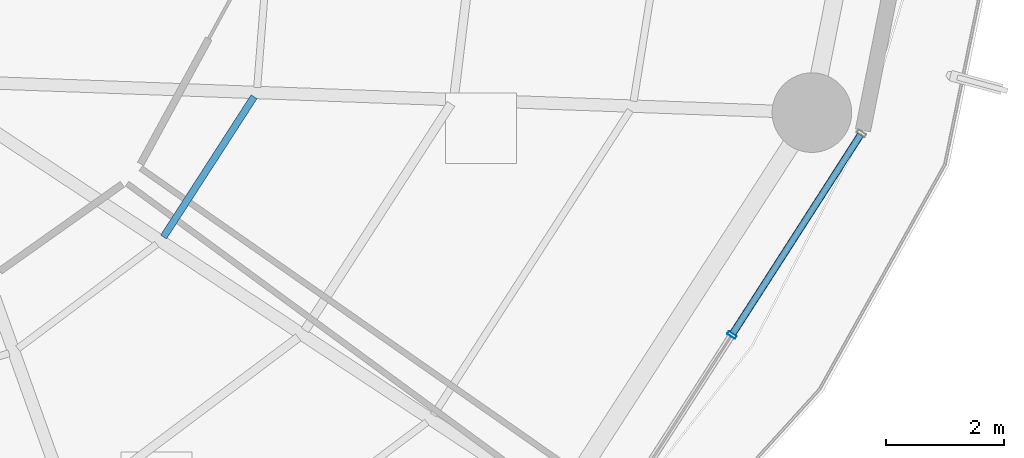
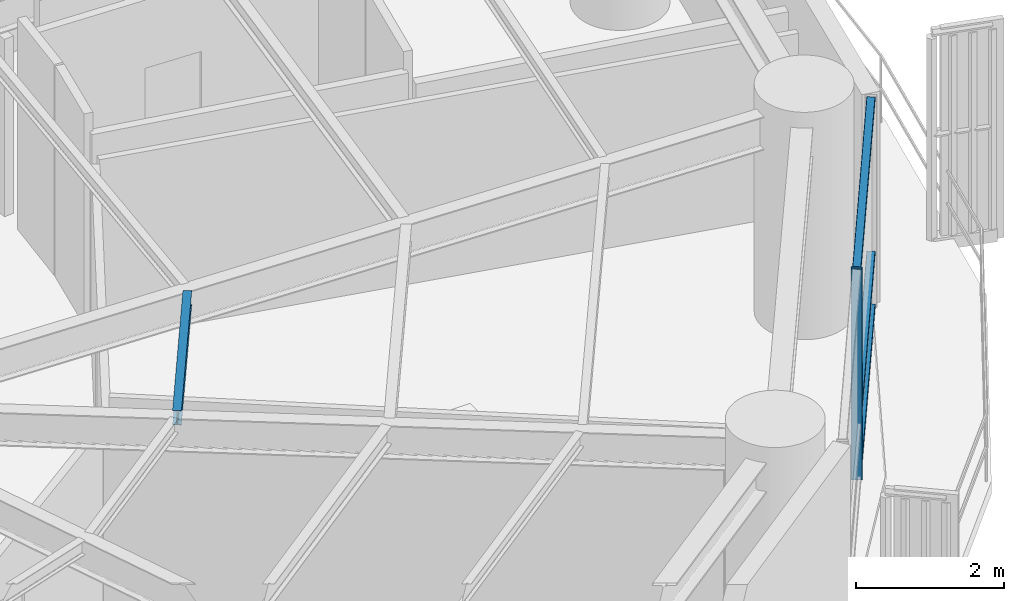
# One storey, part 14 of 35: 4 members, 1 beam, 1 element without a shape of its own.
"""IFC4 building model written with IfcOpenShell, lengths in metres."""

from ifc_helpers import new_model, si_unit, direction, frame, origin, origin_2d, place, context, subcontext, project, spatial, hollow_rectangle, i_section, extrude, material, layer, layer_set, material_profile, profile_set, type_object, element, aggregate, save


model = new_model("IFC4")

# Units and contexts
model_context = context("Model", 3, precision=1e-05, world=origin(), true_north=direction((0.0, 1.0)))
body_context = subcontext(model_context, "Body", "Model", "MODEL_VIEW")
ifc_project = project(units=[si_unit("LENGTHUNIT", "METRE"), si_unit("AREAUNIT", "SQUARE_METRE"), si_unit("VOLUMEUNIT", "CUBIC_METRE"), si_unit("PLANEANGLEUNIT", "RADIAN"), si_unit("MASSUNIT", "GRAM", prefix="KILO")], contexts=[model_context])

# Site, building, storey
site_placement = place(None, origin())
site = spatial("IfcSite", under=ifc_project, at=site_placement, CompositionType="ELEMENT")
building_placement = place(site_placement, origin())
building = spatial("IfcBuilding", under=site, at=building_placement, Name="Kelanora Arch Commons", CompositionType="ELEMENT")
storey_placement = place(building_placement, frame((0.0, 0.0, 117.60009765625)))
storey = spatial("IfcBuildingStorey", under=building, at=storey_placement, Name="L30", CompositionType="ELEMENT", Elevation=117.60009765625)

# Beam
ifc_material_1 = material(Name="Steel S355", Category="steel")
ifc_material_profile_1 = material_profile(ifc_material_1, i_section(OverallWidth=0.1201171875, OverallDepth=0.239990234375, WebThickness=0.006103515625, FlangeThickness=0.009765625, FilletRadius=0.014892578125, at=origin_2d()), Name="IPE240")
ifc_profile_set_1 = profile_set([ifc_material_profile_1], Name="Steel S355")
beam_type = type_object("IfcBeamType", Name="BM-JST-02", PredefinedType="JOIST", material=ifc_profile_set_1)
beam_placement = place(storey_placement, frame((86.1904296875, 48.338134765625, 3.369873046875), z_axis=(0.542211255502, 0.840242199849, 0.0), x_axis=(-0.840242199849, 0.542211255502, 0.0)))
element("IfcBeam", 1, at=beam_placement, inside=storey, type_object=beam_type, Name="Secondary Chord Joist BJA-32 L30", PredefinedType="JOIST", context=body_context, shape_type="SweptSolid", body=[
    extrude(i_section(OverallWidth=0.1201171875, OverallDepth=0.239990234375, WebThickness=0.006103515625, FlangeThickness=0.009765625, FilletRadius=0.014892578125, at=origin_2d()), origin(), (0.0, 0.0, 1.0), 2.83349609375),
])

# Curtain wall, members
ifc_material_2 = material(Name="Terracotta ceramic-fritted low-E glass and aluminium", Category="masonry")
ifc_layer = layer(ifc_material_2, 0.159912109375)
ifc_layer_set = layer_set([ifc_layer], Name="Terracotta ceramic-fritted low-E glass and aluminium")
curtain_wall_type = type_object("IfcCurtainWallType", Name="CW-SYS-01", PredefinedType="NOTDEFINED", material=ifc_layer_set)
curtain_wall_placement = place(storey_placement, origin())
curtain_wall = element("IfcCurtainWall", 2, at=curtain_wall_placement, inside=storey, type_object=curtain_wall_type, Name="Unitised Curtain Wall L30-B16", PredefinedType="NOTDEFINED")
ifc_material_3 = material(Name="Powder-coated aluminium terracotta", Category="masonry")
ifc_material_profile_2 = material_profile(ifc_material_3, hollow_rectangle(XDim=0.159912109375, YDim=0.06005859375, WallThickness=0.0048828125, InnerFilletRadius=0.0048828125, OuterFilletRadius=0.010009765625, at=origin_2d()), Name="CWM160x60")
ifc_profile_set_2 = profile_set([ifc_material_profile_2], Name="Powder-coated aluminium terracotta")
member_type_1 = type_object("IfcMemberType", Name="CWM-STD", PredefinedType="MULLION", material=ifc_profile_set_2)
member_1_placement = place(storey_placement, frame((95.83349609375, 46.6748046875, 0.0), z_axis=(0.0, 0.0, 1.0), x_axis=(-0.841268883088, 0.540616931244, 0.0)))
member_1 = element("IfcMember", 3, at=member_1_placement, type_object=member_type_1, Name="CW-01 mullion 2", PredefinedType="MULLION", context=body_context, shape_type="SweptSolid", body=[
    extrude(hollow_rectangle(XDim=0.159912109375, YDim=0.06005859375, WallThickness=0.0048828125, InnerFilletRadius=0.0048828125, OuterFilletRadius=0.010009765625, at=origin_2d()), origin(), (0.0, 0.0, 1.0), 3.474853515625),
])
ifc_material_profile_3 = material_profile(ifc_material_3, hollow_rectangle(XDim=0.1201171875, YDim=0.06005859375, WallThickness=0.0048828125, InnerFilletRadius=0.0048828125, OuterFilletRadius=0.010009765625, at=origin_2d()), Name="CWT120x60")
ifc_profile_set_3 = profile_set([ifc_material_profile_3], Name="Powder-coated aluminium terracotta")
member_type_2 = type_object("IfcMemberType", Name="CWT-STD", PredefinedType="USERDEFINED", material=ifc_profile_set_3)
member_2_placement = place(storey_placement, frame((95.849609375, 46.699951171875, 0.02978515625), z_axis=(0.540643629734, 0.841251725483, 0.0), x_axis=(-0.841251725483, 0.540643629734, 0.0)))
member_2 = element("IfcMember", 4, at=member_2_placement, type_object=member_type_2, Name="CW-01 transom 2.1", ObjectType="TRANSOM", PredefinedType="USERDEFINED", context=body_context, shape_type="SweptSolid", body=[
    extrude(hollow_rectangle(XDim=0.1201171875, YDim=0.06005859375, WallThickness=0.0048828125, InnerFilletRadius=0.0048828125, OuterFilletRadius=0.010009765625, at=origin_2d()), origin(), (0.0, 0.0, 1.0), 4.00634765625),
])
member_3_placement = place(storey_placement, frame((95.849609375, 46.699951171875, 0.89990234375), z_axis=(0.540643629734, 0.841251725483, 0.0), x_axis=(-0.841251725483, 0.540643629734, 0.0)))
member_3 = element("IfcMember", 5, at=member_3_placement, type_object=member_type_2, Name="CW-01 transom 2.2", ObjectType="TRANSOM", PredefinedType="USERDEFINED", context=body_context, shape_type="SweptSolid", body=[
    extrude(hollow_rectangle(XDim=0.1201171875, YDim=0.06005859375, WallThickness=0.0048828125, InnerFilletRadius=0.0048828125, OuterFilletRadius=0.010009765625, at=origin_2d()), origin(), (0.0, 0.0, 1.0), 4.00634765625),
])
member_4_placement = place(storey_placement, frame((95.849609375, 46.699951171875, 3.44482421875), z_axis=(0.540643629734, 0.841251725483, 0.0), x_axis=(-0.841251725483, 0.540643629734, 0.0)))
member_4 = element("IfcMember", 6, at=member_4_placement, type_object=member_type_2, Name="CW-01 transom 2.3", ObjectType="TRANSOM", PredefinedType="USERDEFINED", context=body_context, shape_type="SweptSolid", body=[
    extrude(hollow_rectangle(XDim=0.1201171875, YDim=0.06005859375, WallThickness=0.0048828125, InnerFilletRadius=0.0048828125, OuterFilletRadius=0.010009765625, at=origin_2d()), origin(), (0.0, 0.0, 1.0), 4.00634765625),
])
aggregate(curtain_wall, [member_1, member_2, member_3, member_4])

save(model, "model.ifc")
